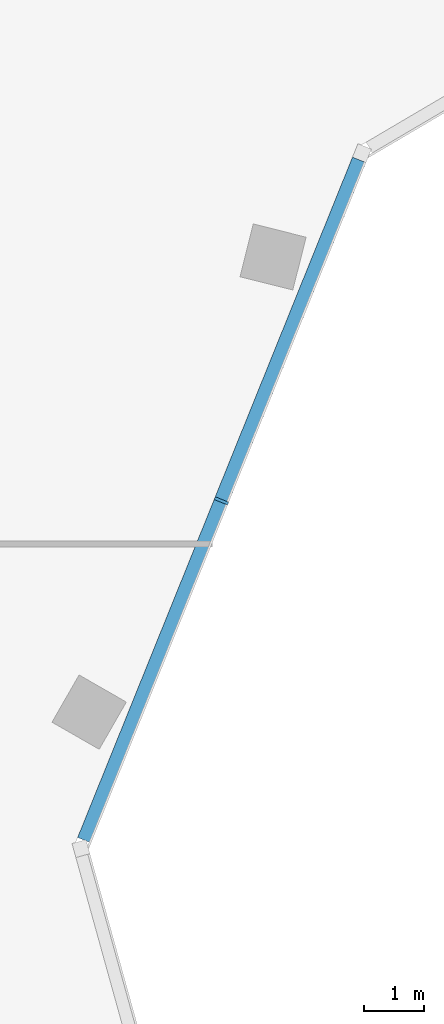
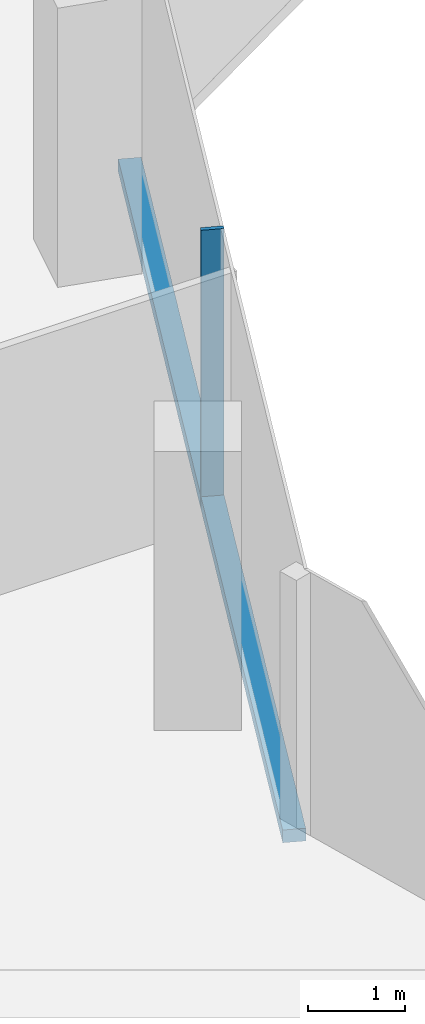
# One storey, part 5 of 16: 2 members, 1 element without a shape of its own.
"""IFC4 building model written with IfcOpenShell, lengths in metres."""

from ifc_helpers import new_model, si_unit, direction, frame, origin, origin_2d, place, context, subcontext, project, spatial, rectangle, extrude, material, material_profile, profile_set, type_object, element, aggregate, save


model = new_model("IFC4")

# Units and contexts
model_context = context("Model", 3, precision=1e-05, world=origin(), true_north=direction((0.0, 1.0)))
body_context = subcontext(model_context, "Body", "Model", "MODEL_VIEW")
ifc_project = project(units=[si_unit("LENGTHUNIT", "METRE"), si_unit("AREAUNIT", "SQUARE_METRE"), si_unit("VOLUMEUNIT", "CUBIC_METRE"), si_unit("PLANEANGLEUNIT", "RADIAN"), si_unit("MASSUNIT", "GRAM", prefix="KILO")], contexts=[model_context])

# Site, building, storey
site_placement = place(None, origin())
site = spatial("IfcSite", under=ifc_project, at=site_placement, CompositionType="ELEMENT")
building_placement = place(site_placement, origin())
building = spatial("IfcBuilding", under=site, at=building_placement, Name="Orlundy Tower", CompositionType="ELEMENT")
storey_placement = place(building_placement, frame((0.0, 0.0, 282.39990234375)))
storey = spatial("IfcBuildingStorey", under=building, at=storey_placement, Name="L75", CompositionType="ELEMENT", Elevation=282.39990234375)

# Curtain wall, members
ifc_material_1 = material(Name="Aluminium bronze anodised", Category="aluminium")
curtain_wall_type = type_object("IfcCurtainWallType", Name="CW6 wall", PredefinedType="NOTDEFINED", material=ifc_material_1)
curtain_wall_placement = place(storey_placement, origin())
curtain_wall = element("IfcCurtainWall", 1, at=curtain_wall_placement, inside=storey, type_object=curtain_wall_type, Name="CW6 run 01", PredefinedType="NOTDEFINED")
ifc_material_2 = material(Name="Aluminium bronze anodised", Category="aluminium")
ifc_material_profile_1 = material_profile(ifc_material_2, rectangle(XDim=0.239990234375, YDim=0.050048828125, at=origin_2d()), Name="CW6 mullion 50x240")
ifc_profile_set_1 = profile_set([ifc_material_profile_1], Name="Aluminium bronze anodised")
member_type_1 = type_object("IfcMemberType", Name="CW6 mullion 50x240", PredefinedType="MULLION", material=ifc_profile_set_1)
member_1_placement = place(storey_placement, frame((27.9267578125, -11.283447265625, -0.39990234375), z_axis=(0.0, 0.0, 1.0), x_axis=(0.927195304229, -0.37457825326, 0.0)))
member_1 = element("IfcMember", 2, at=member_1_placement, type_object=member_type_1, Name="CW6 mullion 4", PredefinedType="MULLION", context=body_context, shape_type="SweptSolid", body=[
    extrude(rectangle(XDim=0.239990234375, YDim=0.050048828125, at=origin_2d()), origin(), (0.0, 0.0, 1.0), 3.5),
])
ifc_material_3 = material(Name="Aluminium bronze anodised", Category="aluminium")
ifc_material_profile_2 = material_profile(ifc_material_3, rectangle(XDim=0.239990234375, YDim=0.159912109375, at=origin_2d()), Name="CW6 transom 240x160")
ifc_profile_set_2 = profile_set([ifc_material_profile_2], Name="Aluminium bronze anodised")
member_type_2 = type_object("IfcMemberType", Name="CW6 transom 240x160", PredefinedType="USERDEFINED", material=ifc_profile_set_2)
member_2_placement = place(storey_placement, frame((30.205078125, -5.64404296875, -0.31982421875), z_axis=(-0.374580153856, -0.927194536404, 0.0), x_axis=(0.927194536404, -0.374580153856, 0.0)))
member_2 = element("IfcMember", 3, at=member_2_placement, type_object=member_type_2, Name="CW6 transom", ObjectType="TRANSOM", PredefinedType="USERDEFINED", context=body_context, shape_type="SweptSolid", body=[
    extrude(rectangle(XDim=0.239990234375, YDim=0.159912109375, at=origin_2d()), origin(), (0.0, 0.0, 1.0), 12.13330078125),
])
aggregate(curtain_wall, [member_1, member_2])

save(model, "model.ifc")
